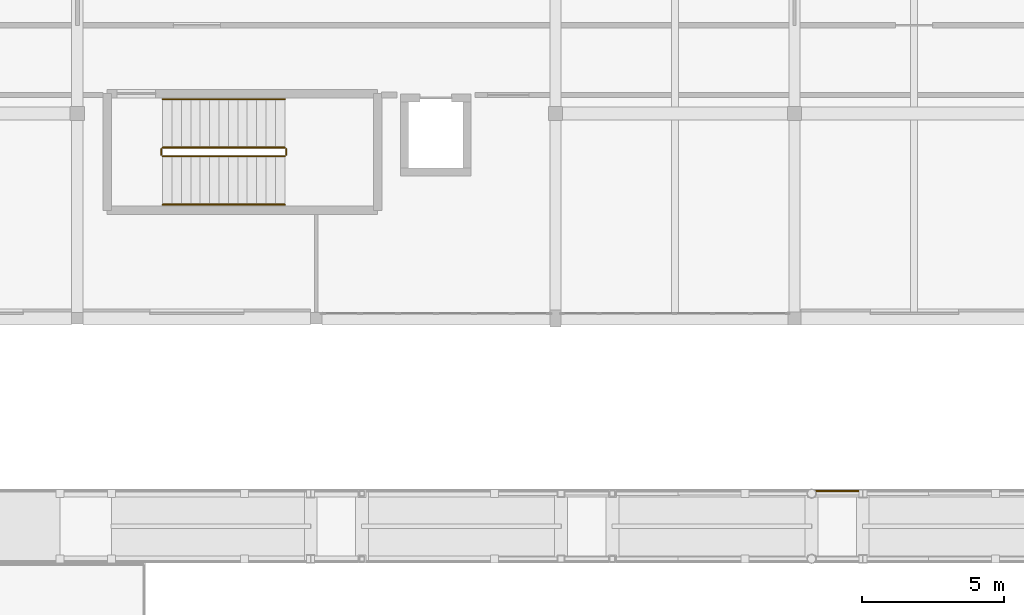
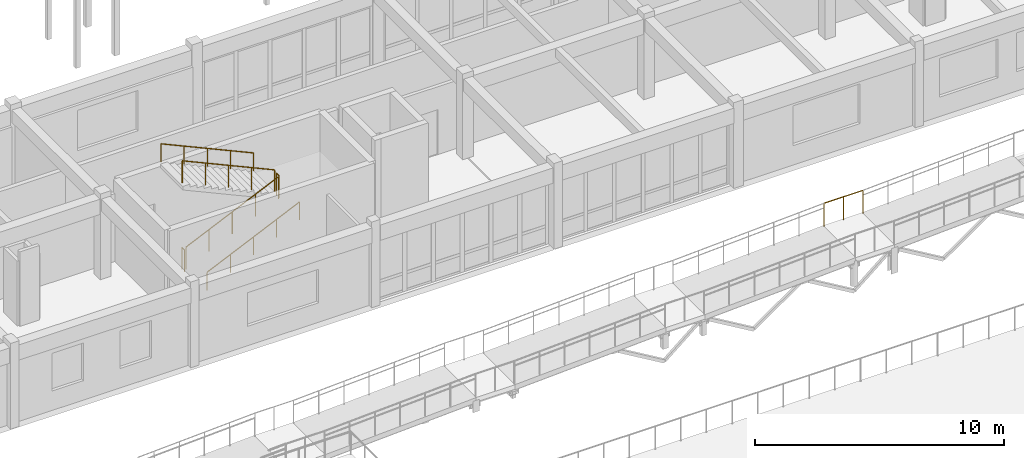
# One storey, part 82 of 90: 7 railings.
"""IFC4 building model written with IfcOpenShell, lengths in metres."""

from ifc_helpers import new_model, si_unit, direction, frame, origin, origin_2d, place, context, subcontext, project, spatial, circle, extrude, material, layer, layer_set, type_object, element, save


model = new_model("IFC4")

# Units and contexts
model_context = context("Model", 3, precision=1e-05, world=origin(), true_north=direction((0.0, 1.0)))
body_context = subcontext(model_context, "Body", "Model", "MODEL_VIEW")
ifc_project = project(units=[si_unit("LENGTHUNIT", "METRE"), si_unit("AREAUNIT", "SQUARE_METRE"), si_unit("VOLUMEUNIT", "CUBIC_METRE"), si_unit("PLANEANGLEUNIT", "RADIAN"), si_unit("MASSUNIT", "GRAM", prefix="KILO")], contexts=[model_context])

# Site, building, storey
site_placement = place(None, origin())
site = spatial("IfcSite", under=ifc_project, at=site_placement, CompositionType="ELEMENT")
building_placement = place(site_placement, origin())
building = spatial("IfcBuilding", under=site, at=building_placement, Name="Malvenik Polytechnic", CompositionType="ELEMENT")
storey_placement = place(building_placement, frame((0.0, 0.0, 9.300048828125)))
storey = spatial("IfcBuildingStorey", under=building, at=storey_placement, Name="L02", CompositionType="ELEMENT", Elevation=9.300048828125)

# Railings
ifc_material_1 = material(Name="Galvanised powder-coated steel and laminated glass guard 1150mm", Category="steel")
ifc_layer_1 = layer(ifc_material_1, 0.070068359375)
ifc_layer_set_1 = layer_set([ifc_layer_1], Name="Galvanised powder-coated steel and laminated glass guard 1150mm")
railing_type_1 = type_object("IfcRailingType", Name="ARC-RL-BAL-1150", PredefinedType="BALUSTRADE", material=ifc_layer_set_1)
railing_1_placement = place(storey_placement, frame((59.39990234375, 44.340087890625, 1.39990234375)))
element("IfcRailing", 1, at=railing_1_placement, inside=storey, type_object=railing_type_1, Name="Ramp Landing Balustrade RB-01 #4N", PredefinedType="BALUSTRADE", context=body_context, shape_type="SweptSolid", body=[
    extrude(circle(Radius=0.02392578125, at=origin_2d()), frame((0.0, 0.0, 1.1259765625), z_axis=(1.0, 0.0, 0.0), x_axis=(0.0, 1.0, 0.0)), (0.0, 0.0, 1.0), 1.800048828125),
    extrude(circle(Radius=0.02099609375, at=origin_2d()), origin(), (0.0, 0.0, 1.0), 1.101806640625),
    extrude(circle(Radius=0.02099609375, at=origin_2d()), frame((0.89990234375, 0.0, 0.0)), (0.0, 0.0, 1.0), 1.101806640625),
    extrude(circle(Radius=0.02099609375, at=origin_2d()), frame((1.800048828125, 0.0, 0.0)), (0.0, 0.0, 1.0), 1.101806640625),
])
ifc_material_2 = material(Name="Painted galvanised steel stair well balustrade 1100mm", Category="steel")
ifc_layer_2 = layer(ifc_material_2, 0.050048828125)
ifc_layer_set_2 = layer_set([ifc_layer_2], Name="Painted galvanised steel stair well balustrade 1100mm")
railing_type_2 = type_object("IfcRailingType", Name="ARC-RL-STGD", PredefinedType="BALUSTRADE", material=ifc_layer_set_2)
railing_2_placement = place(storey_placement, frame((36.60009765625, 56.10009765625, 0.14990234375)))
element("IfcRailing", 2, at=railing_2_placement, inside=storey, type_object=railing_type_2, Name="L02 ST-06 stair guard 1", PredefinedType="BALUSTRADE", context=body_context, shape_type="SweptSolid", body=[
    extrude(circle(Radius=0.02392578125, at=origin_2d()), frame((0.0, 0.0, 1.076171875), z_axis=(0.910362928762, 0.0, 0.413810751353), x_axis=(0.0, 1.0, 0.0)), (0.0, 0.0, 1.0), 4.712158203125),
    extrude(circle(Radius=0.02099609375, at=origin_2d()), origin(), (0.0, 0.0, 1.0), 1.052001953125),
    extrude(circle(Radius=0.02099609375, at=origin_2d()), frame((1.072509765625, 0.0, 0.487548828125)), (0.0, 0.0, 1.0), 1.052001953125),
    extrude(circle(Radius=0.02099609375, at=origin_2d()), frame((2.14501953125, 0.0, 0.97509765625)), (0.0, 0.0, 1.0), 1.052001953125),
    extrude(circle(Radius=0.02099609375, at=origin_2d()), frame((3.21728515625, 0.0, 1.46240234375)), (0.0, 0.0, 1.0), 1.052001953125),
    extrude(circle(Radius=0.02099609375, at=origin_2d()), frame((4.289794921875, 0.0, 1.949951171875)), (0.0, 0.0, 1.0), 1.052001953125),
])
railing_3_placement = place(storey_placement, frame((40.93994140625, 56.14990234375, 2.099853515625)))
element("IfcRailing", 3, at=railing_3_placement, inside=storey, type_object=railing_type_2, Name="L02 ST-06 stair guard 2", PredefinedType="BALUSTRADE", context=body_context, shape_type="SweptSolid", body=[
    extrude(circle(Radius=0.02392578125, at=origin_2d()), frame((0.0, 0.0, 1.076171875), z_axis=(0.0, 1.0, 0.0), x_axis=(-1.0, 0.0, 0.0)), (0.0, 0.0, 1.0), 0.2001953125),
    extrude(circle(Radius=0.02099609375, at=origin_2d()), origin(), (0.0, 0.0, 1.0), 1.052001953125),
    extrude(circle(Radius=0.02099609375, at=origin_2d()), frame((0.0, 0.2001953125, 0.0)), (0.0, 0.0, 1.0), 1.052001953125),
])
railing_4_placement = place(storey_placement, frame((40.889892578125, 56.39990234375, 2.25)))
element("IfcRailing", 4, at=railing_4_placement, inside=storey, type_object=railing_type_2, Name="L02 ST-06 stair guard 3", PredefinedType="BALUSTRADE", context=body_context, shape_type="SweptSolid", body=[
    extrude(circle(Radius=0.02392578125, at=origin_2d()), frame((0.0, 0.0, 1.076171875), z_axis=(-0.910362928762, 0.0, 0.413810751353), x_axis=(0.0, -1.0, 0.0)), (0.0, 0.0, 1.0), 4.712158203125),
    extrude(circle(Radius=0.02099609375, at=origin_2d()), origin(), (0.0, 0.0, 1.0), 1.052001953125),
    extrude(circle(Radius=0.02099609375, at=origin_2d()), frame((-1.072509765625, 0.0, 0.487548828125)), (0.0, 0.0, 1.0), 1.052001953125),
    extrude(circle(Radius=0.02099609375, at=origin_2d()), frame((-2.14501953125, 0.0, 0.97509765625)), (0.0, 0.0, 1.0), 1.052001953125),
    extrude(circle(Radius=0.02099609375, at=origin_2d()), frame((-3.21728515625, 0.0, 1.46240234375)), (0.0, 0.0, 1.0), 1.052001953125),
    extrude(circle(Radius=0.02099609375, at=origin_2d()), frame((-4.289794921875, 0.0, 1.949951171875)), (0.0, 0.0, 1.0), 1.052001953125),
])
railing_5_placement = place(storey_placement, frame((36.550048828125, 56.14990234375, 0.0)))
element("IfcRailing", 5, at=railing_5_placement, inside=storey, type_object=railing_type_2, Name="L02 ST-06 stair guard 4", PredefinedType="BALUSTRADE", context=body_context, shape_type="SweptSolid", body=[
    extrude(circle(Radius=0.02392578125, at=origin_2d()), frame((0.0, 0.0, 1.076171875), z_axis=(0.0, 1.0, 0.0), x_axis=(-1.0, 0.0, 0.0)), (0.0, 0.0, 1.0), 0.2001953125),
    extrude(circle(Radius=0.02099609375, at=origin_2d()), origin(), (0.0, 0.0, 1.0), 1.052001953125),
    extrude(circle(Radius=0.02099609375, at=origin_2d()), frame((0.0, 0.2001953125, 0.0)), (0.0, 0.0, 1.0), 1.052001953125),
])
ifc_material_3 = material(Name="Brushed stainless steel 1.4301 stair wall handrail", Category="steel")
ifc_layer_3 = layer(ifc_material_3, 0.044921875)
ifc_layer_set_3 = layer_set([ifc_layer_3], Name="Brushed stainless steel 1.4301 stair wall handrail")
railing_type_3 = type_object("IfcRailingType", Name="ARC-RL-STHR", PredefinedType="HANDRAIL", material=ifc_layer_set_3)
railing_6_placement = place(storey_placement, frame((36.60009765625, 54.39990234375, 0.14990234375)))
element("IfcRailing", 6, at=railing_6_placement, inside=storey, type_object=railing_type_3, Name="L02 ST-06 stair handrail 1", PredefinedType="HANDRAIL", context=body_context, shape_type="SweptSolid", body=[
    extrude(circle(Radius=0.02392578125, at=origin_2d()), frame((0.0, 0.0, 0.8759765625), z_axis=(0.910362928762, 0.0, 0.413810751353), x_axis=(0.0, 1.0, 0.0)), (0.0, 0.0, 1.0), 4.712158203125),
    extrude(circle(Radius=0.02099609375, at=origin_2d()), origin(), (0.0, 0.0, 1.0), 0.851806640625),
    extrude(circle(Radius=0.02099609375, at=origin_2d()), frame((1.072509765625, 0.0, 0.487548828125)), (0.0, 0.0, 1.0), 0.851806640625),
    extrude(circle(Radius=0.02099609375, at=origin_2d()), frame((2.14501953125, 0.0, 0.97509765625)), (0.0, 0.0, 1.0), 0.851806640625),
    extrude(circle(Radius=0.02099609375, at=origin_2d()), frame((3.21728515625, 0.0, 1.46240234375)), (0.0, 0.0, 1.0), 0.851806640625),
    extrude(circle(Radius=0.02099609375, at=origin_2d()), frame((4.289794921875, 0.0, 1.949951171875)), (0.0, 0.0, 1.0), 0.851806640625),
])
railing_7_placement = place(storey_placement, frame((40.889892578125, 58.10009765625, 2.25)))
element("IfcRailing", 7, at=railing_7_placement, inside=storey, type_object=railing_type_3, Name="L02 ST-06 stair handrail 2", PredefinedType="HANDRAIL", context=body_context, shape_type="SweptSolid", body=[
    extrude(circle(Radius=0.02392578125, at=origin_2d()), frame((0.0, 0.0, 0.8759765625), z_axis=(-0.910362928762, 0.0, 0.413810751353), x_axis=(0.0, -1.0, 0.0)), (0.0, 0.0, 1.0), 4.712158203125),
    extrude(circle(Radius=0.02099609375, at=origin_2d()), origin(), (0.0, 0.0, 1.0), 0.851806640625),
    extrude(circle(Radius=0.02099609375, at=origin_2d()), frame((-1.072509765625, 0.0, 0.487548828125)), (0.0, 0.0, 1.0), 0.851806640625),
    extrude(circle(Radius=0.02099609375, at=origin_2d()), frame((-2.14501953125, 0.0, 0.97509765625)), (0.0, 0.0, 1.0), 0.851806640625),
    extrude(circle(Radius=0.02099609375, at=origin_2d()), frame((-3.21728515625, 0.0, 1.46240234375)), (0.0, 0.0, 1.0), 0.851806640625),
    extrude(circle(Radius=0.02099609375, at=origin_2d()), frame((-4.289794921875, 0.0, 1.949951171875)), (0.0, 0.0, 1.0), 0.851806640625),
])

save(model, "model.ifc")
